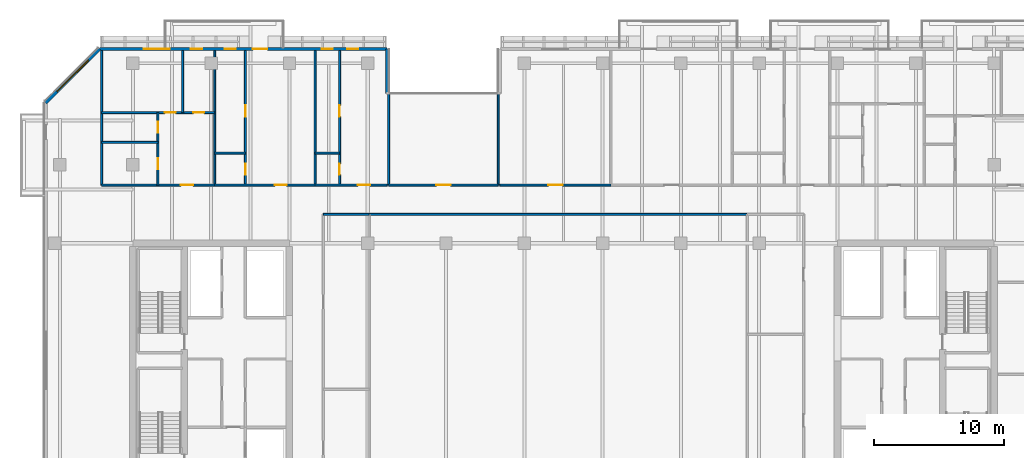
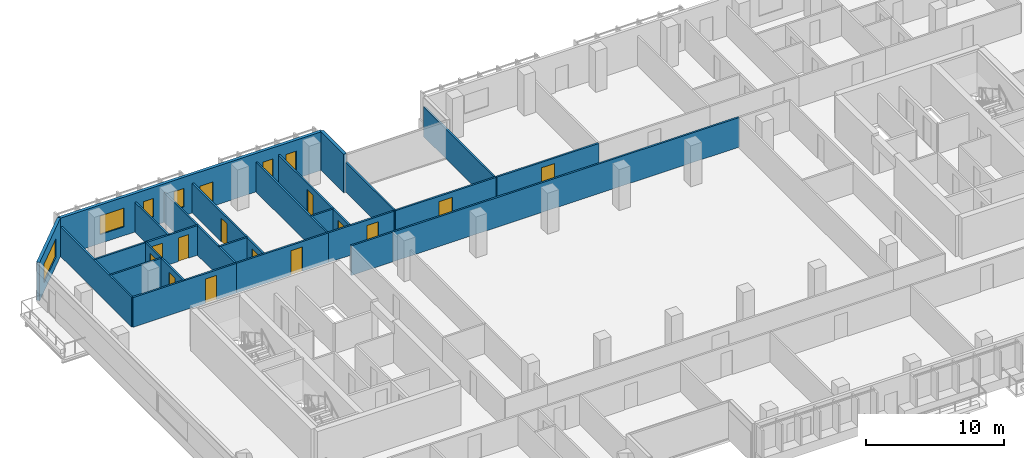
# One storey, part 12 of 22: 23 walls, 14 doors, 6 windows, 20 openings.
"""IFC4 building model written with IfcOpenShell, lengths in metres."""

from ifc_helpers import new_model, si_unit, direction, frame, frame_2d, origin, place, context, subcontext, project, spatial, rectangle, extrude, material, layer, layer_set, type_object, element, fill, save


model = new_model("IFC4")

# Units and contexts
model_context = context("Model", 3, precision=1e-05, world=origin(), true_north=direction((0.0, 1.0)))
body_context = subcontext(model_context, "Body", "Model", "MODEL_VIEW")
ifc_project = project(units=[si_unit("LENGTHUNIT", "METRE"), si_unit("AREAUNIT", "SQUARE_METRE"), si_unit("VOLUMEUNIT", "CUBIC_METRE"), si_unit("PLANEANGLEUNIT", "RADIAN"), si_unit("MASSUNIT", "GRAM", prefix="KILO")], contexts=[model_context])

# Site, building, storey
site_placement = place(None, origin())
site = spatial("IfcSite", under=ifc_project, at=site_placement, CompositionType="ELEMENT")
building_placement = place(site_placement, origin())
building = spatial("IfcBuilding", under=site, at=building_placement, Name="Tanjung Sevakor Pilgrim Tower", CompositionType="ELEMENT")
storey_placement = place(building_placement, frame((0.0, 0.0, 115.830078125)))
storey = spatial("IfcBuildingStorey", under=building, at=storey_placement, Name="L32", CompositionType="ELEMENT", Elevation=115.830078125)

# Walls
ifc_material_1 = material(Name="Concrete C40/50", Category="concrete")
ifc_layer_1 = layer(ifc_material_1, 0.14990234375)
ifc_layer_set_1 = layer_set([ifc_layer_1], Name="WT-COMP-150")
wall_type_1 = type_object("IfcWallType", Name="WT-COMP-150", PredefinedType="SOLIDWALL", material=ifc_layer_set_1)
wall_1_placement = place(storey_placement, frame((38.60009765625, 44.800048828125, 0.0), z_axis=(0.0, 0.0, 1.0), x_axis=(1.0, 0.0, 0.0)))
element("IfcWall", 1, at=wall_1_placement, inside=storey, type_object=wall_type_1, Name="L32 Partition IW-L32-024", PredefinedType="SOLIDWALL", context=body_context, shape_type="SweptSolid", body=[
    extrude(rectangle(XDim=3.5, YDim=0.14990234375, at=frame_2d((1.75, 0.0))), origin(), (0.0, 0.0, 1.0), 2.6298828125),
])
wall_2_placement = place(storey_placement, frame((42.10009765625, 44.800048828125, 0.0), z_axis=(0.0, 0.0, 1.0), x_axis=(1.0, 0.0, 0.0)))
element("IfcWall", 2, at=wall_2_placement, inside=storey, type_object=wall_type_1, Name="L32 Partition IW-L32-027", PredefinedType="SOLIDWALL", context=body_context, shape_type="SweptSolid", body=[
    extrude(rectangle(XDim=29.0, YDim=0.14990234375, at=frame_2d((14.5, 0.0))), origin(), (0.0, 0.0, 1.0), 2.6298828125),
])

# Wall, opening, door
wall_3_placement = place(storey_placement, frame((43.60009765625, 47.050048828125, 0.0), z_axis=(0.0, 0.0, 1.0), x_axis=(1.0, 0.0, 0.0)))
wall_3 = element("IfcWall", 3, at=wall_3_placement, inside=storey, type_object=wall_type_1, Name="L32 Partition IW-L32-046", PredefinedType="SOLIDWALL", context=body_context, shape_type="SweptSolid", body=[
    extrude(rectangle(XDim=8.39990234375, YDim=0.14990234375, at=frame_2d((4.199951171875, 0.0))), origin(), (0.0, 0.0, 1.0), 2.6298828125),
])
opening_1_placement = place(wall_3_placement, frame((3.64990234375, 0.0, 0.0)))
opening_1 = element("IfcOpeningElement", 4, at=opening_1_placement, cuts=wall_3, Name="Opening ID-RM2", PredefinedType="OPENING", context=body_context, shape_type="SweptSolid", body=[
    extrude(rectangle(XDim=1.10009765625, YDim=2.14990234375, at=frame_2d((0.550048828125, 1.074951171875))), frame((0.0, 0.0849609375, 0.0), z_axis=(0.0, -1.0, 0.0), x_axis=(1.0, 0.0, 0.0)), (0.0, 0.0, 1.0), 0.169921875),
])
ifc_material_2 = material(Name="Hardwood Timber", Category="wood")
door_type_1 = type_object("IfcDoorType", Name="DT-INT-1100", OperationType="NOTDEFINED", PredefinedType="DOOR", material=ifc_material_2)
door_1_placement = place(opening_1_placement, origin())
door_1 = element("IfcDoor", 5, at=door_1_placement, inside=storey, type_object=door_type_1, Name="L32 North Cleft Prayer Room Door", OperationType="SINGLE_SWING_RIGHT", OverallHeight=2.14990234375, OverallWidth=1.10009765625, PredefinedType="DOOR", context=body_context, shape_type="SweptSolid", body=[
    extrude(rectangle(XDim=1.10009765625, YDim=2.14990234375, at=frame_2d((0.550048828125, 1.074951171875))), frame((0.0, 0.02490234375, 0.0), z_axis=(0.0, -1.0, 0.0), x_axis=(1.0, 0.0, 0.0)), (0.0, 0.0, 1.0), 0.050048828125),
])
fill(opening_1, door_1)

# Walls
for number, where, z_axis, x_axis, name in (
    (6, (43.60009765625, 47.050048828125, 0.0), (0.0, 0.0, 1.0), (0.0, 1.0, 0.0), "L32 Partition IW-L32-047"),
    (7, (52.0, 47.050048828125, 0.0), (0.0, 0.0, 1.0), (0.0, 1.0, 0.0), "L32 Partition IW-L32-048"),
    (8, (21.60009765625, 47.050048828125, 0.0), (0.0, 0.0, 1.0), (0.0, 1.0, 0.0), "L32 Partition IW-L32-069"),
    (9, (30.273193359375, 47.050048828125, 0.0), (0.0, 0.0, 1.0), (0.0, 1.0, 0.0), "L32 Partition IW-L32-070"),
):
    element("IfcWall", number, at=place(storey_placement, frame(where, z_axis=z_axis, x_axis=x_axis)), inside=storey, type_object=wall_type_1, Name=name, PredefinedType="SOLIDWALL", context=body_context, shape_type="SweptSolid", body=[
        extrude(rectangle(XDim=10.300048828125, YDim=0.14990234375, at=frame_2d((5.14990234375, 0.0))), origin(), (0.0, 0.0, 1.0), 2.6298828125),
    ])

# Wall, opening, door
wall_4_placement = place(storey_placement, frame((21.60009765625, 47.050048828125, 0.0), z_axis=(0.0, 0.0, 1.0), x_axis=(1.0, 0.0, 0.0)))
wall_4 = element("IfcWall", 10, at=wall_4_placement, inside=storey, type_object=wall_type_1, Name="L32 Partition IW-L32-075", PredefinedType="SOLIDWALL", context=body_context, shape_type="SweptSolid", body=[
    extrude(rectangle(XDim=8.673095703125, YDim=0.14990234375, at=frame_2d((4.33642578125, 0.0))), origin(), (0.0, 0.0, 1.0), 2.6298828125),
])
opening_2_placement = place(wall_4_placement, frame((6.0615234375, 0.0, 0.0)))
opening_2 = element("IfcOpeningElement", 11, at=opening_2_placement, cuts=wall_4, Name="Opening ID-FD2", PredefinedType="OPENING", context=body_context, shape_type="SweptSolid", body=[
    extrude(rectangle(XDim=0.949951171875, YDim=2.14990234375, at=frame_2d((0.47509765625, 1.074951171875))), frame((0.0, 0.0849609375, 0.0), z_axis=(0.0, -1.0, 0.0), x_axis=(1.0, 0.0, 0.0)), (0.0, 0.0, 1.0), 0.169921875),
])
ifc_material_3 = material(Name="Fire-Rated Timber", Category="wood")
door_type_2 = type_object("IfcDoorType", Name="DT-FIRE-950", OperationType="NOTDEFINED", PredefinedType="DOOR", material=ifc_material_3)
door_2_placement = place(opening_2_placement, origin())
door_2 = element("IfcDoor", 12, at=door_2_placement, inside=storey, type_object=door_type_2, Name="Suite Entrance", OperationType="SINGLE_SWING_RIGHT", OverallHeight=2.14990234375, OverallWidth=0.949951171875, PredefinedType="DOOR", context=body_context, shape_type="SweptSolid", body=[
    extrude(rectangle(XDim=0.949951171875, YDim=2.14990234375, at=frame_2d((0.47509765625, 1.074951171875))), frame((0.0, 0.02490234375, 0.0), z_axis=(0.0, -1.0, 0.0), x_axis=(1.0, 0.0, 0.0)), (0.0, 0.0, 1.0), 0.050048828125),
])
fill(opening_2, door_2)

# Wall
wall_5_placement = place(storey_placement, frame((37.960693359375, 47.050048828125, 0.0), z_axis=(0.0, 0.0, 1.0), x_axis=(0.0, 1.0, 0.0)))
element("IfcWall", 13, at=wall_5_placement, inside=storey, type_object=wall_type_1, Name="L32 Partition IW-L32-076", PredefinedType="SOLIDWALL", context=body_context, shape_type="SweptSolid", body=[
    extrude(rectangle(XDim=10.300048828125, YDim=0.14990234375, at=frame_2d((5.14990234375, 0.0))), origin(), (0.0, 0.0, 1.0), 2.6298828125),
])

# Wall, opening, door
wall_6_placement = place(storey_placement, frame((30.273193359375, 47.050048828125, 0.0), z_axis=(0.0, 0.0, 1.0), x_axis=(1.0, 0.0, 0.0)))
wall_6 = element("IfcWall", 14, at=wall_6_placement, inside=storey, type_object=wall_type_1, Name="L32 Partition IW-L32-079", PredefinedType="SOLIDWALL", context=body_context, shape_type="SweptSolid", body=[
    extrude(rectangle(XDim=7.6875, YDim=0.14990234375, at=frame_2d((3.84375, 0.0))), origin(), (0.0, 0.0, 1.0), 2.6298828125),
])
opening_3_placement = place(wall_6_placement, frame((4.583740234375, 0.0, 0.0)))
opening_3 = element("IfcOpeningElement", 15, at=opening_3_placement, cuts=wall_6, Name="Opening ID-FD2", PredefinedType="OPENING", context=body_context, shape_type="SweptSolid", body=[
    extrude(rectangle(XDim=0.949951171875, YDim=2.14990234375, at=frame_2d((0.47509765625, 1.074951171875))), frame((0.0, 0.0849609375, 0.0), z_axis=(0.0, -1.0, 0.0), x_axis=(1.0, 0.0, 0.0)), (0.0, 0.0, 1.0), 0.169921875),
])
door_3_placement = place(opening_3_placement, origin())
door_3 = element("IfcDoor", 16, at=door_3_placement, inside=storey, type_object=door_type_2, Name="Hostel Quad Entrance", OperationType="SINGLE_SWING_LEFT", OverallHeight=2.14990234375, OverallWidth=0.949951171875, PredefinedType="DOOR", context=body_context, shape_type="SweptSolid", body=[
    extrude(rectangle(XDim=0.949951171875, YDim=2.14990234375, at=frame_2d((0.47509765625, 1.074951171875))), frame((0.0, 0.02490234375, 0.0), z_axis=(0.0, -1.0, 0.0), x_axis=(1.0, 0.0, 0.0)), (0.0, 0.0, 1.0), 0.050048828125),
])
fill(opening_3, door_3)

wall_7_placement = place(storey_placement, frame((37.960693359375, 47.050048828125, 0.0), z_axis=(0.0, 0.0, 1.0), x_axis=(1.0, 0.0, 0.0)))
wall_7 = element("IfcWall", 17, at=wall_7_placement, inside=storey, type_object=wall_type_1, Name="L32 Partition IW-L32-082", PredefinedType="SOLIDWALL", context=body_context, shape_type="SweptSolid", body=[
    extrude(rectangle(XDim=5.519287109375, YDim=0.14990234375, at=frame_2d((2.759765625, 0.0))), origin(), (0.0, 0.0, 1.0), 2.6298828125),
])
opening_4_placement = place(wall_7_placement, frame((3.2626953125, 0.0, 0.0)))
opening_4 = element("IfcOpeningElement", 18, at=opening_4_placement, cuts=wall_7, Name="Opening ID-FD2", PredefinedType="OPENING", context=body_context, shape_type="SweptSolid", body=[
    extrude(rectangle(XDim=0.949951171875, YDim=2.14990234375, at=frame_2d((0.47509765625, 1.074951171875))), frame((0.0, 0.0849609375, 0.0), z_axis=(0.0, -1.0, 0.0), x_axis=(1.0, 0.0, 0.0)), (0.0, 0.0, 1.0), 0.169921875),
])
door_4_placement = place(opening_4_placement, origin())
door_4 = element("IfcDoor", 19, at=door_4_placement, inside=storey, type_object=door_type_2, Name="Hostel Quad Entrance", OperationType="SINGLE_SWING_RIGHT", OverallHeight=2.14990234375, OverallWidth=0.949951171875, PredefinedType="DOOR", context=body_context, shape_type="SweptSolid", body=[
    extrude(rectangle(XDim=0.949951171875, YDim=2.14990234375, at=frame_2d((0.47509765625, 1.074951171875))), frame((0.0, 0.02490234375, 0.0), z_axis=(0.0, -1.0, 0.0), x_axis=(1.0, 0.0, 0.0)), (0.0, 0.0, 1.0), 0.050048828125),
])
fill(opening_4, door_4)

wall_8_placement = place(storey_placement, frame((52.1201171875, 47.050048828125, 0.0), z_axis=(0.0, 0.0, 1.0), x_axis=(1.0, 0.0, 0.0)))
wall_8 = element("IfcWall", 20, at=wall_8_placement, inside=storey, type_object=wall_type_1, Name="L32 Partition IW-L32-085", PredefinedType="SOLIDWALL", context=body_context, shape_type="SweptSolid", body=[
    extrude(rectangle(XDim=8.517822265625, YDim=0.14990234375, at=frame_2d((4.2587890625, 0.0))), origin(), (0.0, 0.0, 1.0), 2.6298828125),
])
opening_5_placement = place(wall_8_placement, frame((3.708984375, 0.0, 0.0)))
opening_5 = element("IfcOpeningElement", 21, at=opening_5_placement, cuts=wall_8, Name="Opening ID-FD0", PredefinedType="OPENING", context=body_context, shape_type="SweptSolid", body=[
    extrude(rectangle(XDim=1.10009765625, YDim=2.14990234375, at=frame_2d((0.550048828125, 1.074951171875))), frame((0.0, 0.0849609375, 0.0), z_axis=(0.0, -1.0, 0.0), x_axis=(1.0, 0.0, 0.0)), (0.0, 0.0, 1.0), 0.169921875),
])
ifc_material_4 = material(Name="Fire-Rated Steel S355J2", Category="steel")
door_type_3 = type_object("IfcDoorType", Name="DT-FIRE-1100", OperationType="NOTDEFINED", PredefinedType="DOOR", material=ifc_material_4)
door_5_placement = place(opening_5_placement, origin())
door_5 = element("IfcDoor", 22, at=door_5_placement, inside=storey, type_object=door_type_3, Name="Council Room Door", OperationType="SINGLE_SWING_LEFT", OverallHeight=2.14990234375, OverallWidth=1.10009765625, PredefinedType="DOOR", context=body_context, shape_type="SweptSolid", body=[
    extrude(rectangle(XDim=1.10009765625, YDim=2.14990234375, at=frame_2d((0.550048828125, 1.074951171875))), frame((0.0, 0.02490234375, 0.0), z_axis=(0.0, -1.0, 0.0), x_axis=(1.0, 0.0, 0.0)), (0.0, 0.0, 1.0), 0.050048828125),
])
fill(opening_5, door_5)

# Wall
ifc_material_5 = material(Name="Precast concrete C45/55", Category="concrete")
ifc_layer_2 = layer(ifc_material_5, 0.25)
ifc_layer_set_2 = layer_set([ifc_layer_2], Name="WT-EW-STN3")
wall_type_2 = type_object("IfcWallType", Name="WT-EW-STN3", PredefinedType="SOLIDWALL", material=ifc_layer_set_2)
wall_9_placement = place(storey_placement, frame((43.47509765625, 54.074951171875, 0.0), z_axis=(0.0, 0.0, 1.0), x_axis=(0.0, 1.0, 0.0)))
element("IfcWall", 23, at=wall_9_placement, inside=storey, type_object=wall_type_2, Name="L32 MAIN Exterior Wall 12", PredefinedType="SOLIDWALL", context=body_context, shape_type="SweptSolid", body=[
    extrude(rectangle(XDim=3.400146484375, YDim=0.25, at=frame_2d((1.7001953125, 0.0))), origin(), (0.0, 0.0, 1.0), 3.409912109375),
])

# Wall, openings, door, windows
wall_10_placement = place(storey_placement, frame((43.47509765625, 57.47509765625, 0.0), z_axis=(0.0, 0.0, 1.0), x_axis=(-1.0, 0.0, 0.0)))
wall_10 = element("IfcWall", 24, at=wall_10_placement, inside=storey, type_object=wall_type_2, Name="L32 MAIN Exterior Wall 13", PredefinedType="SOLIDWALL", context=body_context, shape_type="SweptSolid", body=[
    extrude(rectangle(XDim=22.023193359375, YDim=0.25, at=frame_2d((11.01171875, 0.0))), origin(), (0.0, 0.0, 1.0), 3.409912109375),
])
opening_6_placement = place(wall_10_placement, frame((9.175048828125, 0.0, 0.0)))
opening_6 = element("IfcOpeningElement", 25, at=opening_6_placement, cuts=wall_10, Name="Opening ED-BAL-1100", PredefinedType="OPENING", context=body_context, shape_type="SweptSolid", body=[
    extrude(rectangle(XDim=1.10009765625, YDim=2.14990234375, at=frame_2d((0.550048828125, 1.074951171875))), frame((0.0, 0.135009765625, 0.0), z_axis=(0.0, -1.0, 0.0), x_axis=(1.0, 0.0, 0.0)), (0.0, 0.0, 1.0), 0.27001953125),
])
opening_7_placement = place(wall_10_placement, frame((16.635009765625, 0.0, 0.780029296875)))
opening_7 = element("IfcOpeningElement", 26, at=opening_7_placement, cuts=wall_10, Name="Opening WN-Z2-1660", PredefinedType="OPENING", context=body_context, shape_type="SweptSolid", body=[
    extrude(rectangle(XDim=2.0, YDim=1.659912109375, at=frame_2d((1.0, 0.830078125))), frame((0.0, 0.135009765625, 0.0), z_axis=(0.0, -1.0, 0.0), x_axis=(1.0, 0.0, 0.0)), (0.0, 0.0, 1.0), 0.27001953125),
])
opening_8_placement = place(wall_10_placement, frame((14.17333984375, 0.0, 0.780029296875)))
opening_8 = element("IfcOpeningElement", 27, at=opening_8_placement, cuts=wall_10, Name="Opening WN-SLM", PredefinedType="OPENING", context=body_context, shape_type="SweptSolid", body=[
    extrude(rectangle(XDim=0.85009765625, YDim=1.64990234375, at=frame_2d((0.425048828125, 0.824951171875))), frame((0.0, 0.135009765625, 0.0), z_axis=(0.0, -1.0, 0.0), x_axis=(1.0, 0.0, 0.0)), (0.0, 0.0, 1.0), 0.27001953125),
])
opening_9_placement = place(wall_10_placement, frame((11.591796875, 0.0, 0.780029296875)))
opening_9 = element("IfcOpeningElement", 28, at=opening_9_placement, cuts=wall_10, Name="Opening WN-SLM", PredefinedType="OPENING", context=body_context, shape_type="SweptSolid", body=[
    extrude(rectangle(XDim=0.85009765625, YDim=1.64990234375, at=frame_2d((0.425048828125, 0.824951171875))), frame((0.0, 0.135009765625, 0.0), z_axis=(0.0, -1.0, 0.0), x_axis=(1.0, 0.0, 0.0)), (0.0, 0.0, 1.0), 0.27001953125),
])
opening_10_placement = place(wall_10_placement, frame((4.14111328125, 0.0, 0.780029296875)))
opening_10 = element("IfcOpeningElement", 29, at=opening_10_placement, cuts=wall_10, Name="Opening WN-SLM", PredefinedType="OPENING", context=body_context, shape_type="SweptSolid", body=[
    extrude(rectangle(XDim=0.85009765625, YDim=1.64990234375, at=frame_2d((0.425048828125, 0.824951171875))), frame((0.0, 0.135009765625, 0.0), z_axis=(0.0, -1.0, 0.0), x_axis=(1.0, 0.0, 0.0)), (0.0, 0.0, 1.0), 0.27001953125),
])
opening_11_placement = place(wall_10_placement, frame((2.201416015625, 0.0, 0.780029296875)))
opening_11 = element("IfcOpeningElement", 30, at=opening_11_placement, cuts=wall_10, Name="Opening WN-SLM", PredefinedType="OPENING", context=body_context, shape_type="SweptSolid", body=[
    extrude(rectangle(XDim=0.85009765625, YDim=1.64990234375, at=frame_2d((0.425048828125, 0.824951171875))), frame((0.0, 0.135009765625, 0.0), z_axis=(0.0, -1.0, 0.0), x_axis=(1.0, 0.0, 0.0)), (0.0, 0.0, 1.0), 0.27001953125),
])
ifc_material_6 = material(Name="Anodised Aluminium and Laminated Glass", Category="aluminium")
door_type_4 = type_object("IfcDoorType", Name="DTYP-ED-BAL-1100", OperationType="NOTDEFINED", PredefinedType="DOOR", material=ifc_material_6)
door_6_placement = place(opening_6_placement, frame((1.10009765625, 0.0, 0.0), z_axis=(0.0, 0.0, 1.0), x_axis=(-1.0, 0.0, 0.0)))
door_6 = element("IfcDoor", 31, at=door_6_placement, inside=storey, type_object=door_type_4, Name="L32 Balcony Door MAIN-N1", OperationType="SINGLE_SWING_RIGHT", OverallHeight=2.14990234375, OverallWidth=1.10009765625, PredefinedType="DOOR", context=body_context, shape_type="SweptSolid", body=[
    extrude(rectangle(XDim=1.10009765625, YDim=2.14990234375, at=frame_2d((0.550048828125, 1.074951171875))), frame((0.0, 0.02490234375, 0.0), z_axis=(0.0, -1.0, 0.0), x_axis=(1.0, 0.0, 0.0)), (0.0, 0.0, 1.0), 0.050048828125),
])
fill(opening_6, door_6)
ifc_material_7 = material(Name="Thermally Broken Aluminium and Low-E Glass", Category="aluminium")
window_type_1 = type_object("IfcWindowType", Name="WTYP-WN-SLM", PartitioningType="SINGLE_PANEL", PredefinedType="WINDOW", material=ifc_material_7)
window_1_placement = place(opening_8_placement, origin())
window_1 = element("IfcWindow", 32, at=window_1_placement, inside=storey, type_object=window_type_1, Name="L32 Facade Window 02", OverallHeight=1.64990234375, OverallWidth=0.85009765625, PartitioningType="SINGLE_PANEL", PredefinedType="WINDOW", context=body_context, shape_type="SweptSolid", body=[
    extrude(rectangle(XDim=0.85009765625, YDim=1.64990234375, at=frame_2d((0.425048828125, 0.824951171875))), frame((0.0, 0.030029296875, 0.0), z_axis=(0.0, -1.0, 0.0), x_axis=(1.0, 0.0, 0.0)), (0.0, 0.0, 1.0), 0.06005859375),
])
fill(opening_8, window_1)
window_2_placement = place(opening_9_placement, origin())
window_2 = element("IfcWindow", 33, at=window_2_placement, inside=storey, type_object=window_type_1, Name="L32 Facade Window 03", OverallHeight=1.64990234375, OverallWidth=0.85009765625, PartitioningType="SINGLE_PANEL", PredefinedType="WINDOW", context=body_context, shape_type="SweptSolid", body=[
    extrude(rectangle(XDim=0.85009765625, YDim=1.64990234375, at=frame_2d((0.425048828125, 0.824951171875))), frame((0.0, 0.030029296875, 0.0), z_axis=(0.0, -1.0, 0.0), x_axis=(1.0, 0.0, 0.0)), (0.0, 0.0, 1.0), 0.06005859375),
])
fill(opening_9, window_2)
window_3_placement = place(opening_10_placement, origin())
window_3 = element("IfcWindow", 34, at=window_3_placement, inside=storey, type_object=window_type_1, Name="L32 Facade Window 04", OverallHeight=1.64990234375, OverallWidth=0.85009765625, PartitioningType="SINGLE_PANEL", PredefinedType="WINDOW", context=body_context, shape_type="SweptSolid", body=[
    extrude(rectangle(XDim=0.85009765625, YDim=1.64990234375, at=frame_2d((0.425048828125, 0.824951171875))), frame((0.0, 0.030029296875, 0.0), z_axis=(0.0, -1.0, 0.0), x_axis=(1.0, 0.0, 0.0)), (0.0, 0.0, 1.0), 0.06005859375),
])
fill(opening_10, window_3)
window_4_placement = place(opening_11_placement, origin())
window_4 = element("IfcWindow", 35, at=window_4_placement, inside=storey, type_object=window_type_1, Name="L32 Facade Window 05", OverallHeight=1.64990234375, OverallWidth=0.85009765625, PartitioningType="SINGLE_PANEL", PredefinedType="WINDOW", context=body_context, shape_type="SweptSolid", body=[
    extrude(rectangle(XDim=0.85009765625, YDim=1.64990234375, at=frame_2d((0.425048828125, 0.824951171875))), frame((0.0, 0.030029296875, 0.0), z_axis=(0.0, -1.0, 0.0), x_axis=(1.0, 0.0, 0.0)), (0.0, 0.0, 1.0), 0.06005859375),
])
fill(opening_11, window_4)
ifc_material_8 = material(Name="Thermally Broken Aluminium and Low-E Glass", Category="aluminium")
window_type_2 = type_object("IfcWindowType", Name="WTYP-WN-Z2-1660", PartitioningType="DOUBLE_PANEL_VERTICAL", PredefinedType="WINDOW", material=ifc_material_8)
window_5_placement = place(opening_7_placement, origin())
window_5 = element("IfcWindow", 36, at=window_5_placement, inside=storey, type_object=window_type_2, Name="L32 Facade Window 01", OverallHeight=1.659912109375, OverallWidth=2.0, PartitioningType="SINGLE_PANEL", PredefinedType="WINDOW", context=body_context, shape_type="SweptSolid", body=[
    extrude(rectangle(XDim=2.0, YDim=1.659912109375, at=frame_2d((1.0, 0.830078125))), frame((0.0, 0.030029296875, 0.0), z_axis=(0.0, -1.0, 0.0), x_axis=(1.0, 0.0, 0.0)), (0.0, 0.0, 1.0), 0.06005859375),
])
fill(opening_7, window_5)

# Wall, opening, window
wall_11_placement = place(storey_placement, frame((21.451904296875, 57.47509765625, 0.0), z_axis=(0.0, 0.0, 1.0), x_axis=(-0.707106781187, -0.707106781187, 0.0)))
wall_11 = element("IfcWall", 37, at=wall_11_placement, inside=storey, type_object=wall_type_2, Name="L32 MAIN Sculpted Corner Wall 13", PredefinedType="SOLIDWALL", context=body_context, shape_type="SweptSolid", body=[
    extrude(rectangle(XDim=5.83642578125, YDim=0.25, at=frame_2d((2.918212890625, 0.0))), origin(), (0.0, 0.0, 1.0), 3.409912109375),
])
opening_12_placement = place(wall_11_placement, frame((1.218017578125, 0.0, 0.780029296875)))
opening_12 = element("IfcOpeningElement", 38, at=opening_12_placement, cuts=wall_11, Name="Opening WN-CHM-1660", PredefinedType="OPENING", context=body_context, shape_type="SweptSolid", body=[
    extrude(rectangle(XDim=3.39990234375, YDim=1.659912109375, at=frame_2d((1.699951171875, 0.830078125))), frame((0.0, 0.135009765625, 0.0), z_axis=(0.0, -1.0, 0.0), x_axis=(1.0, 0.0, 0.0)), (0.0, 0.0, 1.0), 0.27001953125),
])
ifc_material_9 = material(Name="Thermally Broken Aluminium and Low-E Glass", Category="aluminium")
window_type_3 = type_object("IfcWindowType", Name="WTYP-WN-CHM-1660", PartitioningType="DOUBLE_PANEL_VERTICAL", PredefinedType="WINDOW", material=ifc_material_9)
window_6_placement = place(opening_12_placement, origin())
window_6 = element("IfcWindow", 39, at=window_6_placement, inside=storey, type_object=window_type_3, Name="L32 Facade Window 01", OverallHeight=1.659912109375, OverallWidth=3.39990234375, PartitioningType="SINGLE_PANEL", PredefinedType="WINDOW", context=body_context, shape_type="SweptSolid", body=[
    extrude(rectangle(XDim=3.39990234375, YDim=1.659912109375, at=frame_2d((1.699951171875, 0.830078125))), frame((0.0, 0.030029296875, 0.0), z_axis=(0.0, -1.0, 0.0), x_axis=(1.0, 0.0, 0.0)), (0.0, 0.0, 1.0), 0.06005859375),
])
fill(opening_12, window_6)

# Wall
ifc_material_10 = material(Name="Gypsum Board Partition", Category="gypsum board")
ifc_layer_3 = layer(ifc_material_10, 0.14990234375)
ifc_layer_set_3 = layer_set([ifc_layer_3], Name="WT-PART-150")
wall_type_3 = type_object("IfcWallType", Name="WT-PART-150", PredefinedType="PARTITIONING", material=ifc_layer_set_3)
wall_12_placement = place(storey_placement, frame((21.60009765625, 50.32861328125, 0.0), z_axis=(0.0, 0.0, 1.0), x_axis=(1.0, 0.0, 0.0)))
element("IfcWall", 40, at=wall_12_placement, inside=storey, type_object=wall_type_3, Name="L32 Partition IW-L32-071", PredefinedType="PARTITIONING", context=body_context, shape_type="SweptSolid", body=[
    extrude(rectangle(XDim=4.31982421875, YDim=0.14990234375, at=frame_2d((2.159912109375, 0.0))), origin(), (0.0, 0.0, 1.0), 2.6298828125),
])

# Wall, openings, doors
wall_13_placement = place(storey_placement, frame((25.919921875, 47.050048828125, 0.0), z_axis=(0.0, 0.0, 1.0), x_axis=(0.0, 1.0, 0.0)))
wall_13 = element("IfcWall", 41, at=wall_13_placement, inside=storey, type_object=wall_type_3, Name="L32 Partition IW-L32-072", PredefinedType="PARTITIONING", context=body_context, shape_type="SweptSolid", body=[
    extrude(rectangle(XDim=5.55712890625, YDim=0.14990234375, at=frame_2d((2.778564453125, 0.0))), origin(), (0.0, 0.0, 1.0), 2.6298828125),
])
opening_13_placement = place(wall_13_placement, frame((1.21435546875, 0.0, 0.0)))
opening_13 = element("IfcOpeningElement", 42, at=opening_13_placement, cuts=wall_13, Name="Opening ID-WC1", PredefinedType="OPENING", context=body_context, shape_type="SweptSolid", body=[
    extrude(rectangle(XDim=0.85009765625, YDim=2.10009765625, at=frame_2d((0.425048828125, 1.050048828125))), frame((0.0, 0.0849609375, 0.0), z_axis=(0.0, -1.0, 0.0), x_axis=(1.0, 0.0, 0.0)), (0.0, 0.0, 1.0), 0.169921875),
])
opening_14_placement = place(wall_13_placement, frame((3.992919921875, 0.0, 0.0)))
opening_14 = element("IfcOpeningElement", 43, at=opening_14_placement, cuts=wall_13, Name="Opening ID-WC1", PredefinedType="OPENING", context=body_context, shape_type="SweptSolid", body=[
    extrude(rectangle(XDim=0.85009765625, YDim=2.10009765625, at=frame_2d((0.425048828125, 1.050048828125))), frame((0.0, 0.0849609375, 0.0), z_axis=(0.0, -1.0, 0.0), x_axis=(1.0, 0.0, 0.0)), (0.0, 0.0, 1.0), 0.169921875),
])
ifc_material_11 = material(Name="Moisture-Resistant Timber", Category="wood")
door_type_5 = type_object("IfcDoorType", Name="DT-INT-850", OperationType="NOTDEFINED", PredefinedType="DOOR", material=ifc_material_11)
door_7_placement = place(opening_13_placement, origin())
door_7 = element("IfcDoor", 44, at=door_7_placement, inside=storey, type_object=door_type_5, Name="Suite Kitchenette Door", OperationType="SINGLE_SWING_RIGHT", OverallHeight=2.10009765625, OverallWidth=0.85009765625, PredefinedType="DOOR", context=body_context, shape_type="SweptSolid", body=[
    extrude(rectangle(XDim=0.85009765625, YDim=2.10009765625, at=frame_2d((0.425048828125, 1.050048828125))), frame((0.0, 0.02490234375, 0.0), z_axis=(0.0, -1.0, 0.0), x_axis=(1.0, 0.0, 0.0)), (0.0, 0.0, 1.0), 0.050048828125),
])
fill(opening_13, door_7)
door_8_placement = place(opening_14_placement, origin())
door_8 = element("IfcDoor", 45, at=door_8_placement, inside=storey, type_object=door_type_5, Name="Suite Bathroom Door", OperationType="SINGLE_SWING_LEFT", OverallHeight=2.10009765625, OverallWidth=0.85009765625, PredefinedType="DOOR", context=body_context, shape_type="SweptSolid", body=[
    extrude(rectangle(XDim=0.85009765625, YDim=2.10009765625, at=frame_2d((0.425048828125, 1.050048828125))), frame((0.0, 0.02490234375, 0.0), z_axis=(0.0, -1.0, 0.0), x_axis=(1.0, 0.0, 0.0)), (0.0, 0.0, 1.0), 0.050048828125),
])
fill(opening_14, door_8)

# Wall
wall_14_placement = place(storey_placement, frame((27.820068359375, 52.607177734375, 0.0), z_axis=(0.0, 0.0, 1.0), x_axis=(0.0, 1.0, 0.0)))
element("IfcWall", 46, at=wall_14_placement, inside=storey, type_object=wall_type_3, Name="L32 Partition IW-L32-073", PredefinedType="PARTITIONING", context=body_context, shape_type="SweptSolid", body=[
    extrude(rectangle(XDim=4.742919921875, YDim=0.14990234375, at=frame_2d((2.37158203125, 0.0))), origin(), (0.0, 0.0, 1.0), 2.6298828125),
])

# Wall, openings, doors
wall_15_placement = place(storey_placement, frame((21.60009765625, 52.607177734375, 0.0), z_axis=(0.0, 0.0, 1.0), x_axis=(1.0, 0.0, 0.0)))
wall_15 = element("IfcWall", 47, at=wall_15_placement, inside=storey, type_object=wall_type_3, Name="L32 Partition IW-L32-074", PredefinedType="PARTITIONING", context=body_context, shape_type="SweptSolid", body=[
    extrude(rectangle(XDim=8.673095703125, YDim=0.14990234375, at=frame_2d((4.33642578125, 0.0))), origin(), (0.0, 0.0, 1.0), 2.6298828125),
])
opening_15_placement = place(wall_15_placement, frame((4.844970703125, 0.0, 0.0)))
opening_15 = element("IfcOpeningElement", 48, at=opening_15_placement, cuts=wall_15, Name="Opening ID-WC1", PredefinedType="OPENING", context=body_context, shape_type="SweptSolid", body=[
    extrude(rectangle(XDim=0.85009765625, YDim=2.10009765625, at=frame_2d((0.425048828125, 1.050048828125))), frame((0.0, 0.0849609375, 0.0), z_axis=(0.0, -1.0, 0.0), x_axis=(1.0, 0.0, 0.0)), (0.0, 0.0, 1.0), 0.169921875),
])
opening_16_placement = place(wall_15_placement, frame((7.021484375, 0.0, 0.0)))
opening_16 = element("IfcOpeningElement", 49, at=opening_16_placement, cuts=wall_15, Name="Opening ID-WC1", PredefinedType="OPENING", context=body_context, shape_type="SweptSolid", body=[
    extrude(rectangle(XDim=0.85009765625, YDim=2.10009765625, at=frame_2d((0.425048828125, 1.050048828125))), frame((0.0, 0.0849609375, 0.0), z_axis=(0.0, -1.0, 0.0), x_axis=(1.0, 0.0, 0.0)), (0.0, 0.0, 1.0), 0.169921875),
])
door_9_placement = place(opening_15_placement, origin())
door_9 = element("IfcDoor", 50, at=door_9_placement, inside=storey, type_object=door_type_5, Name="Suite Bedroom 1 Door", OperationType="SINGLE_SWING_RIGHT", OverallHeight=2.10009765625, OverallWidth=0.85009765625, PredefinedType="DOOR", context=body_context, shape_type="SweptSolid", body=[
    extrude(rectangle(XDim=0.85009765625, YDim=2.10009765625, at=frame_2d((0.425048828125, 1.050048828125))), frame((0.0, 0.02490234375, 0.0), z_axis=(0.0, -1.0, 0.0), x_axis=(1.0, 0.0, 0.0)), (0.0, 0.0, 1.0), 0.050048828125),
])
fill(opening_15, door_9)
door_10_placement = place(opening_16_placement, origin())
door_10 = element("IfcDoor", 51, at=door_10_placement, inside=storey, type_object=door_type_5, Name="Suite Bedroom 2 Door", OperationType="SINGLE_SWING_LEFT", OverallHeight=2.10009765625, OverallWidth=0.85009765625, PredefinedType="DOOR", context=body_context, shape_type="SweptSolid", body=[
    extrude(rectangle(XDim=0.85009765625, YDim=2.10009765625, at=frame_2d((0.425048828125, 1.050048828125))), frame((0.0, 0.02490234375, 0.0), z_axis=(0.0, -1.0, 0.0), x_axis=(1.0, 0.0, 0.0)), (0.0, 0.0, 1.0), 0.050048828125),
])
fill(opening_16, door_10)

# Wall
wall_16_placement = place(storey_placement, frame((30.273193359375, 49.5, 0.0), z_axis=(0.0, 0.0, 1.0), x_axis=(1.0, 0.0, 0.0)))
element("IfcWall", 52, at=wall_16_placement, inside=storey, type_object=wall_type_3, Name="L32 Partition IW-L32-077", PredefinedType="PARTITIONING", context=body_context, shape_type="SweptSolid", body=[
    extrude(rectangle(XDim=2.35009765625, YDim=0.14990234375, at=frame_2d((1.175048828125, 0.0))), origin(), (0.0, 0.0, 1.0), 2.6298828125),
])

# Wall, openings, doors
wall_17_placement = place(storey_placement, frame((32.623291015625, 47.050048828125, 0.0), z_axis=(0.0, 0.0, 1.0), x_axis=(0.0, 1.0, 0.0)))
wall_17 = element("IfcWall", 53, at=wall_17_placement, inside=storey, type_object=wall_type_3, Name="L32 Partition IW-L32-078", PredefinedType="PARTITIONING", context=body_context, shape_type="SweptSolid", body=[
    extrude(rectangle(XDim=10.300048828125, YDim=0.14990234375, at=frame_2d((5.14990234375, 0.0))), origin(), (0.0, 0.0, 1.0), 2.6298828125),
])
opening_17_placement = place(wall_17_placement, frame((0.800048828125, 0.0, 0.0)))
opening_17 = element("IfcOpeningElement", 54, at=opening_17_placement, cuts=wall_17, Name="Opening ID-WC1", PredefinedType="OPENING", context=body_context, shape_type="SweptSolid", body=[
    extrude(rectangle(XDim=0.85009765625, YDim=2.10009765625, at=frame_2d((0.425048828125, 1.050048828125))), frame((0.0, 0.0849609375, 0.0), z_axis=(0.0, -1.0, 0.0), x_axis=(1.0, 0.0, 0.0)), (0.0, 0.0, 1.0), 0.169921875),
])
opening_18_placement = place(wall_17_placement, frame((5.25, 0.0, 0.0)))
opening_18 = element("IfcOpeningElement", 55, at=opening_18_placement, cuts=wall_17, Name="Opening ID-WC1", PredefinedType="OPENING", context=body_context, shape_type="SweptSolid", body=[
    extrude(rectangle(XDim=0.85009765625, YDim=2.10009765625, at=frame_2d((0.425048828125, 1.050048828125))), frame((0.0, 0.0849609375, 0.0), z_axis=(0.0, -1.0, 0.0), x_axis=(1.0, 0.0, 0.0)), (0.0, 0.0, 1.0), 0.169921875),
])
door_11_placement = place(opening_17_placement, origin())
door_11 = element("IfcDoor", 56, at=door_11_placement, inside=storey, type_object=door_type_5, Name="Bathroom Door", OperationType="SINGLE_SWING_LEFT", OverallHeight=2.10009765625, OverallWidth=0.85009765625, PredefinedType="DOOR", context=body_context, shape_type="SweptSolid", body=[
    extrude(rectangle(XDim=0.85009765625, YDim=2.10009765625, at=frame_2d((0.425048828125, 1.050048828125))), frame((0.0, 0.02490234375, 0.0), z_axis=(0.0, -1.0, 0.0), x_axis=(1.0, 0.0, 0.0)), (0.0, 0.0, 1.0), 0.050048828125),
])
fill(opening_17, door_11)
door_12_placement = place(opening_18_placement, origin())
door_12 = element("IfcDoor", 57, at=door_12_placement, inside=storey, type_object=door_type_5, Name="Study Nook Door", OperationType="SINGLE_SWING_RIGHT", OverallHeight=2.10009765625, OverallWidth=0.85009765625, PredefinedType="DOOR", context=body_context, shape_type="SweptSolid", body=[
    extrude(rectangle(XDim=0.85009765625, YDim=2.10009765625, at=frame_2d((0.425048828125, 1.050048828125))), frame((0.0, 0.02490234375, 0.0), z_axis=(0.0, -1.0, 0.0), x_axis=(1.0, 0.0, 0.0)), (0.0, 0.0, 1.0), 0.050048828125),
])
fill(opening_18, door_12)

# Wall
wall_18_placement = place(storey_placement, frame((37.960693359375, 49.5, 0.0), z_axis=(0.0, 0.0, 1.0), x_axis=(1.0, 0.0, 0.0)))
element("IfcWall", 58, at=wall_18_placement, inside=storey, type_object=wall_type_3, Name="L32 Partition IW-L32-080", PredefinedType="PARTITIONING", context=body_context, shape_type="SweptSolid", body=[
    extrude(rectangle(XDim=1.876708984375, YDim=0.14990234375, at=frame_2d((0.9384765625, 0.0))), origin(), (0.0, 0.0, 1.0), 2.6298828125),
])

# Wall, openings, doors
wall_19_placement = place(storey_placement, frame((39.83740234375, 47.050048828125, 0.0), z_axis=(0.0, 0.0, 1.0), x_axis=(0.0, 1.0, 0.0)))
wall_19 = element("IfcWall", 59, at=wall_19_placement, inside=storey, type_object=wall_type_3, Name="L32 Partition IW-L32-081", PredefinedType="PARTITIONING", context=body_context, shape_type="SweptSolid", body=[
    extrude(rectangle(XDim=10.300048828125, YDim=0.14990234375, at=frame_2d((5.14990234375, 0.0))), origin(), (0.0, 0.0, 1.0), 2.6298828125),
])
opening_19_placement = place(wall_19_placement, frame((0.800048828125, 0.0, 0.0)))
opening_19 = element("IfcOpeningElement", 60, at=opening_19_placement, cuts=wall_19, Name="Opening ID-WC1", PredefinedType="OPENING", context=body_context, shape_type="SweptSolid", body=[
    extrude(rectangle(XDim=0.85009765625, YDim=2.10009765625, at=frame_2d((0.425048828125, 1.050048828125))), frame((0.0, 0.0849609375, 0.0), z_axis=(0.0, -1.0, 0.0), x_axis=(1.0, 0.0, 0.0)), (0.0, 0.0, 1.0), 0.169921875),
])
opening_20_placement = place(wall_19_placement, frame((5.25, 0.0, 0.0)))
opening_20 = element("IfcOpeningElement", 61, at=opening_20_placement, cuts=wall_19, Name="Opening ID-WC1", PredefinedType="OPENING", context=body_context, shape_type="SweptSolid", body=[
    extrude(rectangle(XDim=0.85009765625, YDim=2.10009765625, at=frame_2d((0.425048828125, 1.050048828125))), frame((0.0, 0.0849609375, 0.0), z_axis=(0.0, -1.0, 0.0), x_axis=(1.0, 0.0, 0.0)), (0.0, 0.0, 1.0), 0.169921875),
])
door_13_placement = place(opening_19_placement, origin())
door_13 = element("IfcDoor", 62, at=door_13_placement, inside=storey, type_object=door_type_5, Name="Bathroom Door", OperationType="SINGLE_SWING_RIGHT", OverallHeight=2.10009765625, OverallWidth=0.85009765625, PredefinedType="DOOR", context=body_context, shape_type="SweptSolid", body=[
    extrude(rectangle(XDim=0.85009765625, YDim=2.10009765625, at=frame_2d((0.425048828125, 1.050048828125))), frame((0.0, 0.02490234375, 0.0), z_axis=(0.0, -1.0, 0.0), x_axis=(1.0, 0.0, 0.0)), (0.0, 0.0, 1.0), 0.050048828125),
])
fill(opening_19, door_13)
door_14_placement = place(opening_20_placement, origin())
door_14 = element("IfcDoor", 63, at=door_14_placement, inside=storey, type_object=door_type_5, Name="Study Nook Door", OperationType="SINGLE_SWING_LEFT", OverallHeight=2.10009765625, OverallWidth=0.85009765625, PredefinedType="DOOR", context=body_context, shape_type="SweptSolid", body=[
    extrude(rectangle(XDim=0.85009765625, YDim=2.10009765625, at=frame_2d((0.425048828125, 1.050048828125))), frame((0.0, 0.02490234375, 0.0), z_axis=(0.0, -1.0, 0.0), x_axis=(1.0, 0.0, 0.0)), (0.0, 0.0, 1.0), 0.050048828125),
])
fill(opening_20, door_14)

save(model, "model.ifc")
